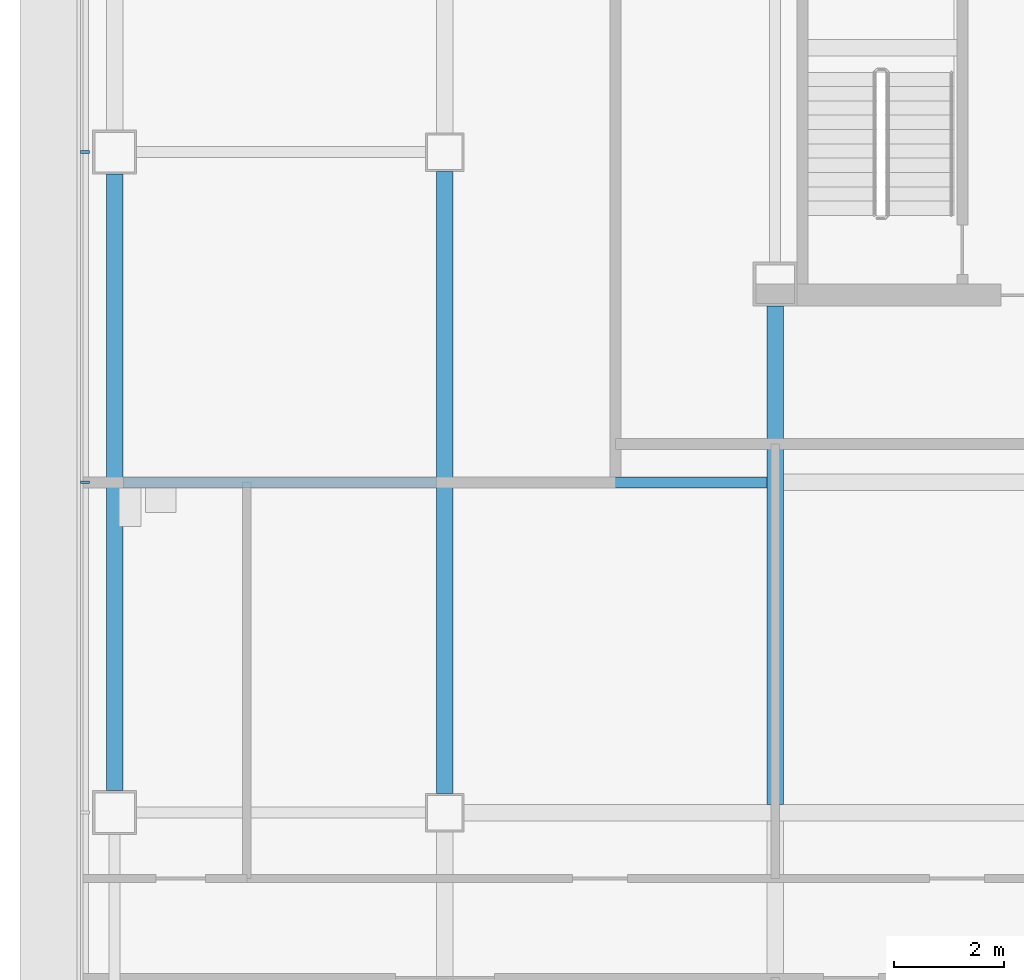
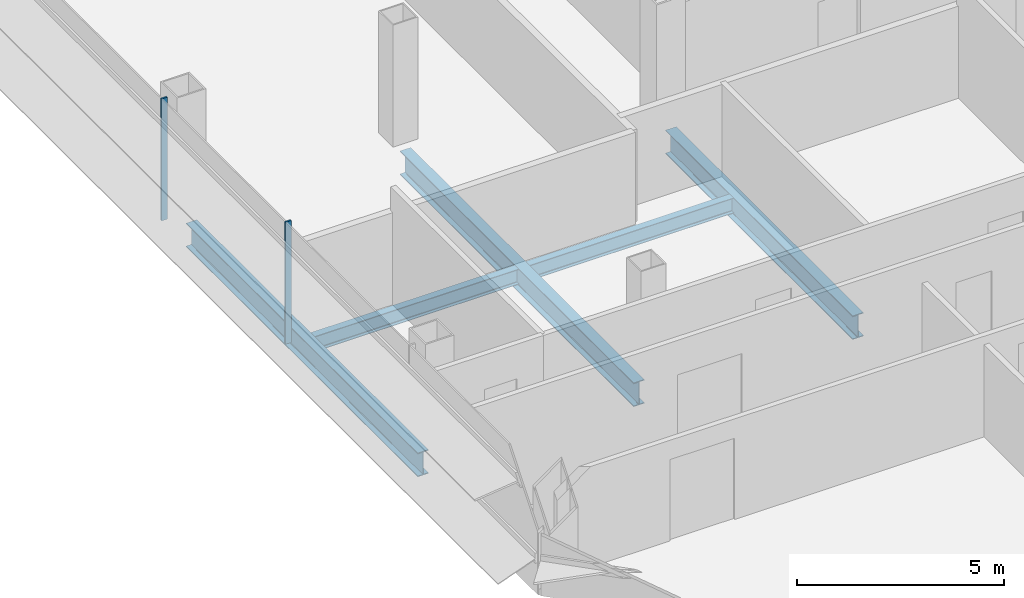
# One storey, part 4 of 25: 5 beams, 2 members, 1 element without a shape of its own.
"""IFC4 building model written with IfcOpenShell, lengths in metres."""

from ifc_helpers import new_model, si_unit, direction, frame, origin, origin_2d, place, context, subcontext, project, spatial, rectangle, i_section, extrude, material, material_profile, profile_set, type_object, element, aggregate, save


model = new_model("IFC4")

# Units and contexts
model_context = context("Model", 3, precision=1e-05, world=origin(), true_north=direction((0.0, 1.0)))
body_context = subcontext(model_context, "Body", "Model", "MODEL_VIEW")
ifc_project = project(units=[si_unit("LENGTHUNIT", "METRE"), si_unit("AREAUNIT", "SQUARE_METRE"), si_unit("VOLUMEUNIT", "CUBIC_METRE"), si_unit("PLANEANGLEUNIT", "RADIAN"), si_unit("MASSUNIT", "GRAM", prefix="KILO")], contexts=[model_context])

# Site, building, storey
site_placement = place(None, origin())
site = spatial("IfcSite", under=ifc_project, at=site_placement, CompositionType="ELEMENT")
building_placement = place(site_placement, origin())
building = spatial("IfcBuilding", under=site, at=building_placement, Name="Sorahane Residences", CompositionType="ELEMENT")
storey_placement = place(building_placement, frame((0.0, 0.0, 119.60009765625)))
storey = spatial("IfcBuildingStorey", under=building, at=storey_placement, Name="L26", CompositionType="ELEMENT", Elevation=119.60009765625)

# Curtain wall, members
ifc_material_1 = material(Name="Dark low-e glass and black anodised aluminium", Category="aluminium")
curtain_wall_type = type_object("IfcCurtainWallType", Name="Curtain wall CW-1 Typical unitised wall", PredefinedType="NOTDEFINED", material=ifc_material_1)
curtain_wall_placement = place(storey_placement, origin())
curtain_wall = element("IfcCurtainWall", 1, at=curtain_wall_placement, inside=storey, type_object=curtain_wall_type, Name="CW-1 curtain wall L26 W1", PredefinedType="NOTDEFINED")
ifc_material_2 = material(Name="Black anodised aluminium", Category="aluminium")
ifc_material_profile_1 = material_profile(ifc_material_2, rectangle(XDim=0.159912109375, YDim=0.050048828125, at=origin_2d()), Name="Curtain wall mullion CW-1 black anodised aluminium 50x160")
ifc_profile_set_1 = profile_set([ifc_material_profile_1], Name="Black anodised aluminium")
member_type = type_object("IfcMemberType", Name="Curtain wall mullion CW-1 black anodised aluminium 50x160", PredefinedType="MULLION", material=ifc_profile_set_1)
member_1_placement = place(storey_placement, frame((-6.5400390625, 24.0, -0.18017578125), z_axis=(0.0, 0.0, 1.0), x_axis=(-1.0, 0.0, 0.0)))
member_1 = element("IfcMember", 2, at=member_1_placement, type_object=member_type, Name="CW-1 mullion L26 W1.4", PredefinedType="MULLION", context=body_context, shape_type="SweptSolid", body=[
    extrude(rectangle(XDim=0.159912109375, YDim=0.050048828125, at=origin_2d()), origin(), (0.0, 0.0, 1.0), 3.60009765625),
])
member_2_placement = place(storey_placement, frame((-6.5400390625, 18.0, -0.18017578125), z_axis=(0.0, 0.0, 1.0), x_axis=(-1.0, 0.0, 0.0)))
member_2 = element("IfcMember", 3, at=member_2_placement, type_object=member_type, Name="CW-1 mullion L26 W1.5", PredefinedType="MULLION", context=body_context, shape_type="SweptSolid", body=[
    extrude(rectangle(XDim=0.159912109375, YDim=0.050048828125, at=origin_2d()), origin(), (0.0, 0.0, 1.0), 3.60009765625),
])
aggregate(curtain_wall, [member_1, member_2])

# Beams
ifc_material_3 = material(Name="Steel Q355B", Category="steel")
ifc_material_profile_2 = material_profile(ifc_material_3, i_section(OverallWidth=0.199951171875, OverallDepth=0.449951171875, WebThickness=0.009033203125, FlangeThickness=0.013916015625, FilletRadius=0.02001953125, at=origin_2d()), Name="HN 450x200x9x14")
ifc_profile_set_2 = profile_set([ifc_material_profile_2], Name="Steel Q355B")
beam_type_1 = type_object("IfcBeamType", Name="Steel floor beam HN 450x200x9x14 Q355B", PredefinedType="BEAM", material=ifc_profile_set_2)
for number, where, z_axis, x_axis, name in (
    (4, (-5.85009765625, 18.0, -0.405029296875), (1.0, 0.0, 0.0), (0.0, 1.0, 0.0), "Beam L26 078"),
    (5, (0.14990234375, 18.0, -0.405029296875), (1.0, 0.0, 0.0), (0.0, 1.0, 0.0), "Beam L26 079"),
):
    element("IfcBeam", number, at=place(storey_placement, frame(where, z_axis=z_axis, x_axis=x_axis)), inside=storey, type_object=beam_type_1, Name=name, PredefinedType="BEAM", context=body_context, shape_type="SweptSolid", body=[
        extrude(i_section(OverallWidth=0.199951171875, OverallDepth=0.449951171875, WebThickness=0.009033203125, FlangeThickness=0.013916015625, FilletRadius=0.02001953125, at=origin_2d()), origin(), (0.0, 0.0, 1.0), 5.7001953125),
    ])
ifc_material_4 = material(Name="Steel Q355B", Category="steel")
ifc_material_profile_3 = material_profile(ifc_material_4, i_section(OverallWidth=0.300048828125, OverallDepth=0.699951171875, WebThickness=0.012939453125, FlangeThickness=0.02392578125, FilletRadius=0.028076171875, at=origin_2d()), Name="HN 700x300x13x24")
ifc_profile_set_3 = profile_set([ifc_material_profile_3], Name="Steel Q355B")
beam_type_2 = type_object("IfcBeamType", Name="Steel floor beam HN 700x300x13x24 Q355B", PredefinedType="BEAM", material=ifc_profile_set_3)
beam_1_placement = place(storey_placement, frame((-6.0, 12.39990234375, -0.530029296875), z_axis=(0.0, 1.0, 0.0), x_axis=(-1.0, 0.0, 0.0)))
element("IfcBeam", 6, at=beam_1_placement, inside=storey, type_object=beam_type_2, Name="Beam L26 021", PredefinedType="BEAM", context=body_context, shape_type="SweptSolid", body=[
    extrude(i_section(OverallWidth=0.300048828125, OverallDepth=0.699951171875, WebThickness=0.012939453125, FlangeThickness=0.02392578125, FilletRadius=0.028076171875, at=origin_2d()), origin(), (0.0, 0.0, 1.0), 11.2001953125),
])
beam_2_placement = place(storey_placement, frame((0.0, 12.35009765625, -0.530029296875), z_axis=(0.0, 1.0, 0.0), x_axis=(-1.0, 0.0, 0.0)))
element("IfcBeam", 7, at=beam_2_placement, inside=storey, type_object=beam_type_2, Name="Beam L26 025", PredefinedType="BEAM", context=body_context, shape_type="SweptSolid", body=[
    extrude(i_section(OverallWidth=0.300048828125, OverallDepth=0.699951171875, WebThickness=0.012939453125, FlangeThickness=0.02392578125, FilletRadius=0.028076171875, at=origin_2d()), origin(), (0.0, 0.0, 1.0), 11.2998046875),
])
beam_3_placement = place(storey_placement, frame((6.0, 12.14990234375, -0.530029296875), z_axis=(0.0, 1.0, 0.0), x_axis=(-1.0, 0.0, 0.0)))
element("IfcBeam", 8, at=beam_3_placement, inside=storey, type_object=beam_type_2, Name="Beam L26 029", PredefinedType="BEAM", context=body_context, shape_type="SweptSolid", body=[
    extrude(i_section(OverallWidth=0.300048828125, OverallDepth=0.699951171875, WebThickness=0.012939453125, FlangeThickness=0.02392578125, FilletRadius=0.028076171875, at=origin_2d()), origin(), (0.0, 0.0, 1.0), 9.050048828125),
])

save(model, "model.ifc")
